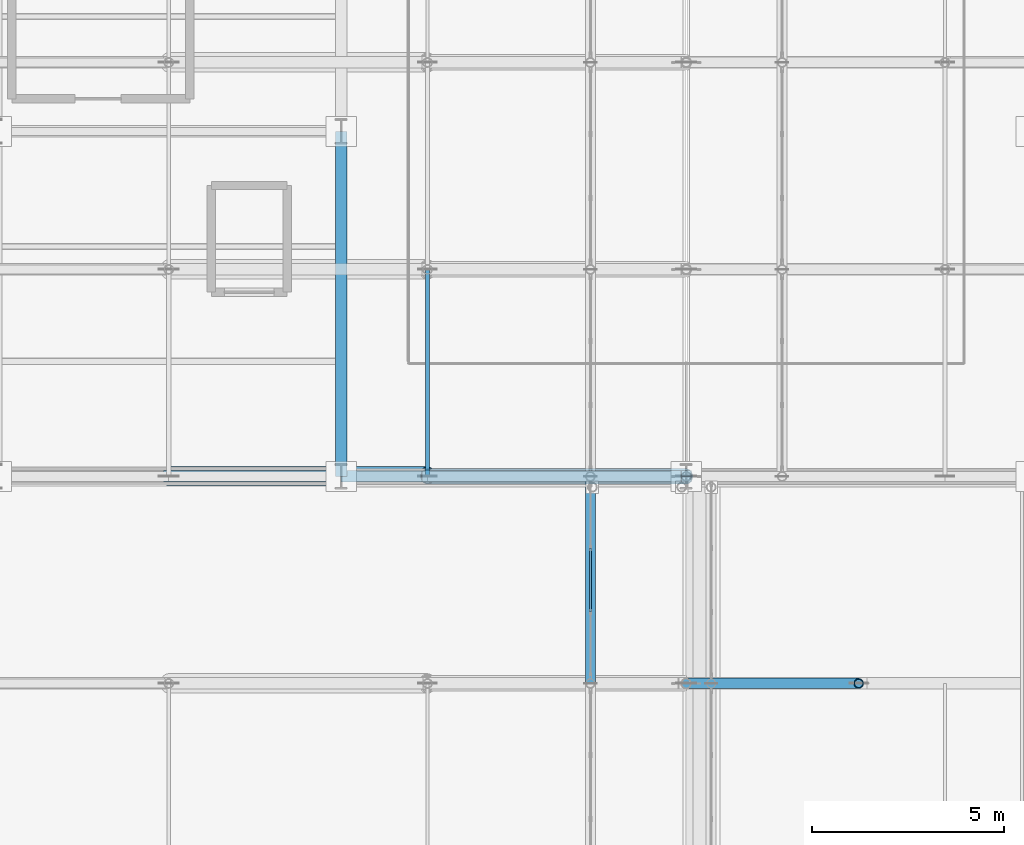
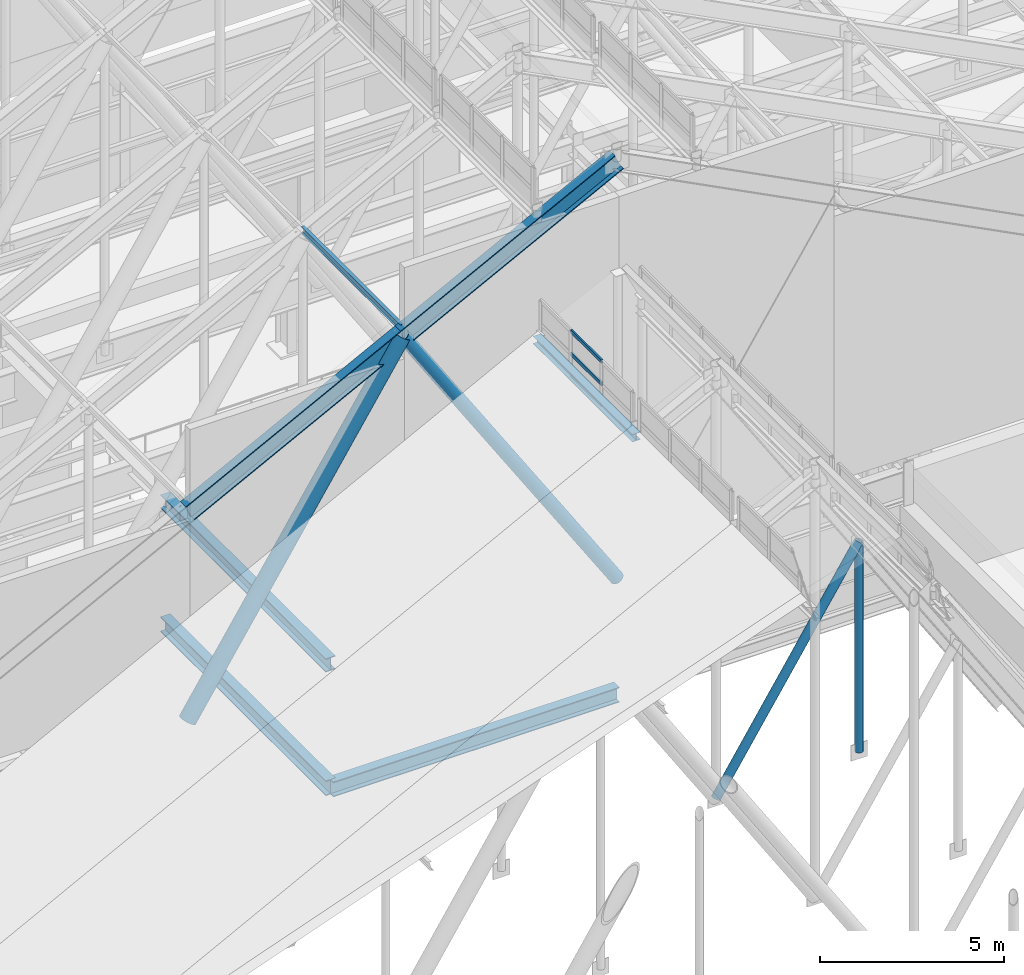
# One storey, part 25 of 84: 10 members, 4 beams, 1 element without a shape of its own.
"""IFC4 building model written with IfcOpenShell, lengths in metres."""

from ifc_helpers import new_model, si_unit, direction, frame, origin, origin_2d, place, context, subcontext, project, spatial, hollow_rectangle, hollow_circle, i_section, extrude, material, layer, layer_set, material_profile, profile_set, type_object, element, aggregate, save


model = new_model("IFC4")

# Units and contexts
model_context = context("Model", 3, precision=1e-05, world=origin(), true_north=direction((0.0, 1.0)))
body_context = subcontext(model_context, "Body", "Model", "MODEL_VIEW")
ifc_project = project(units=[si_unit("LENGTHUNIT", "METRE"), si_unit("AREAUNIT", "SQUARE_METRE"), si_unit("VOLUMEUNIT", "CUBIC_METRE"), si_unit("PLANEANGLEUNIT", "RADIAN"), si_unit("MASSUNIT", "GRAM", prefix="KILO")], contexts=[model_context])

# Site, building, storey
site_placement = place(None, origin())
site = spatial("IfcSite", under=ifc_project, at=site_placement, CompositionType="ELEMENT")
building_placement = place(site_placement, origin())
building = spatial("IfcBuilding", under=site, at=building_placement, Name="Sundgate Opera House", CompositionType="ELEMENT")
storey_placement = place(building_placement, frame((0.0, 0.0, 30.60009765625)))
storey = spatial("IfcBuildingStorey", under=building, at=storey_placement, Name="L06", CompositionType="ELEMENT", Elevation=30.60009765625)

# Beams
ifc_material_1 = material(Name="Steel S355J2", Category="steel")
ifc_material_profile_1 = material_profile(ifc_material_1, i_section(OverallWidth=0.300048828125, OverallDepth=0.449951171875, WebThickness=0.013916015625, FlangeThickness=0.02587890625, at=origin_2d()), Name="HEB 450")
ifc_profile_set_1 = profile_set([ifc_material_profile_1], Name="Steel S355J2")
beam_type_1 = type_object("IfcBeamType", Name="BM-GR-HEB450", PredefinedType="BEAM", material=ifc_profile_set_1)
beam_1_placement = place(storey_placement, frame((45.0, 60.0, 3.574951171875), z_axis=(0.0, 1.0, 0.0), x_axis=(-1.0, 0.0, 0.0)))
element("IfcBeam", 1, at=beam_1_placement, inside=storey, type_object=beam_type_1, Name="L06 Primary N-S Girder B3273", PredefinedType="BEAM", context=body_context, shape_type="SweptSolid", body=[
    extrude(i_section(OverallWidth=0.300048828125, OverallDepth=0.449951171875, WebThickness=0.013916015625, FlangeThickness=0.02587890625, at=origin_2d()), origin(), (0.0, 0.0, 1.0), 9.0),
])
ifc_material_2 = material(Name="Steel S355J2", Category="steel")
ifc_material_profile_2 = material_profile(ifc_material_2, i_section(OverallWidth=0.300048828125, OverallDepth=0.5, WebThickness=0.014404296875, FlangeThickness=0.028076171875, at=origin_2d()), Name="HEB 500")
ifc_profile_set_2 = profile_set([ifc_material_profile_2], Name="Steel S355J2")
beam_type_2 = type_object("IfcBeamType", Name="BM-GR-HEB500", PredefinedType="BEAM", material=ifc_profile_set_2)
for number, where, z_axis, x_axis, name in (
    (2, (45.0, 60.0, -0.510009765625), (0.0, 1.0, 0.0), (-1.0, 0.0, 0.0), "L06 Primary N-S Girder B3198"),
    (3, (45.0, 60.0, -0.510009765625), (1.0, 0.0, 0.0), (0.0, 1.0, 0.0), "L06 Primary E-W Girder B3220"),
):
    element("IfcBeam", number, at=place(storey_placement, frame(where, z_axis=z_axis, x_axis=x_axis)), inside=storey, type_object=beam_type_2, Name=name, PredefinedType="BEAM", context=body_context, shape_type="SweptSolid", body=[
        extrude(i_section(OverallWidth=0.300048828125, OverallDepth=0.5, WebThickness=0.014404296875, FlangeThickness=0.028076171875, at=origin_2d()), origin(), (0.0, 0.0, 1.0), 9.0),
    ])
ifc_material_3 = material(Name="Steel S355J2", Category="steel")
ifc_material_profile_3 = material_profile(ifc_material_3, i_section(OverallWidth=0.260009765625, OverallDepth=0.25, WebThickness=0.007568359375, FlangeThickness=0.012451171875, at=origin_2d()), Name="HEA 260")
ifc_profile_set_3 = profile_set([ifc_material_profile_3], Name="Steel S355J2")
beam_type_3 = type_object("IfcBeamType", Name="BM-LN-HEA260", PredefinedType="LINTEL", material=ifc_profile_set_3)
beam_2_placement = place(storey_placement, frame((51.5, 54.60009765625, 12.119873046875), z_axis=(0.0, 1.0, 0.0), x_axis=(-1.0, 0.0, 0.0)))
element("IfcBeam", 4, at=beam_2_placement, inside=storey, type_object=beam_type_3, Name="L06 Crown Clerestory Curb Beam BS030", PredefinedType="LINTEL", context=body_context, shape_type="SweptSolid", body=[
    extrude(i_section(OverallWidth=0.260009765625, OverallDepth=0.25, WebThickness=0.007568359375, FlangeThickness=0.012451171875, at=origin_2d()), origin(), (0.0, 0.0, 1.0), 5.39990234375),
])

# Curtain wall, members
ifc_material_4 = material(Name="Anodized aluminium and low-iron glass", Category="aluminium")
ifc_layer = layer(ifc_material_4, 0.169921875)
ifc_layer_set = layer_set([ifc_layer], Name="Anodized aluminium and low-iron glass")
curtain_wall_type = type_object("IfcCurtainWallType", Name="CW-LANTERN-POLY", PredefinedType="NOTDEFINED", material=ifc_layer_set)
curtain_wall_placement = place(storey_placement, origin())
curtain_wall = element("IfcCurtainWall", 5, at=curtain_wall_placement, inside=storey, type_object=curtain_wall_type, Name="L06 Curtain Wall CW177", PredefinedType="NOTDEFINED")
ifc_material_5 = material(Name="Anodized aluminium EN AW-6063", Category="aluminium")
ifc_material_profile_4 = material_profile(ifc_material_5, hollow_rectangle(XDim=0.054931640625, YDim=0.1201171875, WallThickness=0.00390625, at=origin_2d()), Name="CWT 120x55x4")
ifc_profile_set_4 = profile_set([ifc_material_profile_4], Name="Anodized aluminium EN AW-6063")
member_type_1 = type_object("IfcMemberType", Name="CWT-ALU-120x55", PredefinedType="USERDEFINED", material=ifc_profile_set_4)
member_1_placement = place(storey_placement, frame((51.5, 58.13330078125, 12.0), z_axis=(0.0, -1.0, 0.0), x_axis=(1.0, 0.0, 0.0)))
member_1 = element("IfcMember", 6, at=member_1_placement, type_object=member_type_1, Name="CW177 Transom 4", ObjectType="TRANSOM", PredefinedType="USERDEFINED", context=body_context, shape_type="SweptSolid", body=[
    extrude(hollow_rectangle(XDim=0.054931640625, YDim=0.1201171875, WallThickness=0.00390625, at=origin_2d()), origin(), (0.0, 0.0, 1.0), 1.666748046875),
])
member_2_placement = place(storey_placement, frame((51.5, 58.13330078125, 12.75), z_axis=(0.0, -1.0, 0.0), x_axis=(1.0, 0.0, 0.0)))
member_2 = element("IfcMember", 7, at=member_2_placement, type_object=member_type_1, Name="CW177 Transom 5", ObjectType="TRANSOM", PredefinedType="USERDEFINED", context=body_context, shape_type="SweptSolid", body=[
    extrude(hollow_rectangle(XDim=0.054931640625, YDim=0.1201171875, WallThickness=0.00390625, at=origin_2d()), origin(), (0.0, 0.0, 1.0), 1.666748046875),
])
member_3_placement = place(storey_placement, frame((51.5, 58.13330078125, 13.5), z_axis=(0.0, -1.0, 0.0), x_axis=(1.0, 0.0, 0.0)))
member_3 = element("IfcMember", 8, at=member_3_placement, type_object=member_type_1, Name="CW177 Transom 6", ObjectType="TRANSOM", PredefinedType="USERDEFINED", context=body_context, shape_type="SweptSolid", body=[
    extrude(hollow_rectangle(XDim=0.054931640625, YDim=0.1201171875, WallThickness=0.00390625, at=origin_2d()), origin(), (0.0, 0.0, 1.0), 1.666748046875),
])
aggregate(curtain_wall, [member_1, member_2, member_3])

# Members
ifc_material_6 = material(Name="Steel S355J2", Category="steel")
ifc_material_profile_5 = material_profile(ifc_material_6, i_section(OverallWidth=0.300048828125, OverallDepth=0.60009765625, WebThickness=0.015380859375, FlangeThickness=0.030029296875, at=origin_2d()), Name="HEB 600")
ifc_profile_set_5 = profile_set([ifc_material_profile_5], Name="Steel S355J2")
member_type_2 = type_object("IfcMemberType", Name="MB-CHORD-HEB600", PredefinedType="CHORD", material=ifc_profile_set_5)
for number, where, z_axis, x_axis, name in (
    (9, (40.5, 60.0, 10.244873046875), (0.888960276237, 0.0, 0.457984308981), (0.0, 1.0, 0.0), "L06 Fly-Tower Truss Top Chord M0123"),
    (10, (47.25, 60.0, 13.722412109375), (0.888960276237, 0.0, 0.457984308981), (0.0, 1.0, 0.0), "L06 Fly-Tower Truss Top Chord M0125"),
):
    element("IfcMember", number, at=place(storey_placement, frame(where, z_axis=z_axis, x_axis=x_axis)), inside=storey, type_object=member_type_2, Name=name, PredefinedType="CHORD", context=body_context, shape_type="SweptSolid", body=[
        extrude(i_section(OverallWidth=0.300048828125, OverallDepth=0.60009765625, WebThickness=0.015380859375, FlangeThickness=0.030029296875, at=origin_2d()), origin(), (0.0, 0.0, 1.0), 7.59326171875),
    ])
ifc_material_7 = material(Name="Steel S355J2", Category="steel")
ifc_material_profile_6 = material_profile(ifc_material_7, i_section(OverallWidth=0.110107421875, OverallDepth=0.219970703125, WebThickness=0.005859375, FlangeThickness=0.00927734375, at=origin_2d()), Name="IPE 220")
ifc_profile_set_6 = profile_set([ifc_material_profile_6], Name="Steel S355J2")
member_type_3 = type_object("IfcMemberType", Name="MB-PUR-IPE220", PredefinedType="PURLIN", material=ifc_profile_set_6)
member_4_placement = place(storey_placement, frame((47.25, 60.0, 13.96728515625), z_axis=(0.0, 1.0, 0.0), x_axis=(-1.0, 0.0, 0.0)))
element("IfcMember", 11, at=member_4_placement, inside=storey, type_object=member_type_3, Name="V1 Roof Purlin M0248", PredefinedType="PURLIN", context=body_context, shape_type="SweptSolid", body=[
    extrude(i_section(OverallWidth=0.110107421875, OverallDepth=0.219970703125, WebThickness=0.005859375, FlangeThickness=0.00927734375, at=origin_2d()), origin(), (0.0, 0.0, 1.0), 5.39990234375),
])
ifc_material_8 = material(Name="Steel S355J2", Category="steel")
ifc_material_profile_7 = material_profile(ifc_material_8, hollow_circle(Radius=0.122314453125, WallThickness=0.012451171875, at=origin_2d()), Name="CHS 244.5x12.5")
ifc_profile_set_7 = profile_set([ifc_material_profile_7], Name="Steel S355J2")
member_type_4 = type_object("IfcMemberType", Name="MB-STRUT-CHS244", PredefinedType="STRUT", material=ifc_profile_set_7)
member_5_placement = place(storey_placement, frame((58.5, 54.60009765625, -0.760009765625), z_axis=(0.0, 0.0, 1.0), x_axis=(1.0, 0.0, 0.0)))
element("IfcMember", 12, at=member_5_placement, inside=storey, type_object=member_type_4, Name="L06 Auditorium Truss Vertical Post M0119", PredefinedType="STRUT", context=body_context, shape_type="SweptSolid", body=[
    extrude(hollow_circle(Radius=0.122314453125, WallThickness=0.012451171875, at=origin_2d()), origin(), (0.0, 0.0, 1.0), 6.97998046875),
])
ifc_material_9 = material(Name="Steel S355J2", Category="steel")
ifc_material_profile_8 = material_profile(ifc_material_9, hollow_circle(Radius=0.136474609375, WallThickness=0.01611328125, at=origin_2d()), Name="CHS 273.0x16.0")
ifc_profile_set_8 = profile_set([ifc_material_profile_8], Name="Steel S355J2")
member_type_5 = type_object("IfcMemberType", Name="MB-STRUT-CHS273", PredefinedType="STRUT", material=ifc_profile_set_8)
member_6_placement = place(storey_placement, frame((54.0, 54.60009765625, -0.760009765625), z_axis=(0.541853645841, 0.0, 0.840472858865), x_axis=(0.0, 1.0, 0.0)))
element("IfcMember", 13, at=member_6_placement, inside=storey, type_object=member_type_5, Name="L06 Auditorium Warren Web Strut M0113", PredefinedType="STRUT", context=body_context, shape_type="SweptSolid", body=[
    extrude(hollow_circle(Radius=0.136474609375, WallThickness=0.01611328125, at=origin_2d()), origin(), (0.0, 0.0, 1.0), 8.304931640625),
])
ifc_material_10 = material(Name="Steel S355ML", Category="steel")
ifc_material_profile_9 = material_profile(ifc_material_10, hollow_circle(Radius=0.203125, WallThickness=0.02001953125, at=origin_2d()), Name="CHS 406.4x20.0")
ifc_profile_set_9 = profile_set([ifc_material_profile_9], Name="Steel S355ML")
member_type_6 = type_object("IfcMemberType", Name="MB-STRUT-CHS406", PredefinedType="STRUT", material=ifc_profile_set_9)
member_7_placement = place(storey_placement, frame((54.0, 60.0, 3.289794921875), z_axis=(-0.543221949913, 0.0, 0.839589133525), x_axis=(0.0, -1.0, 0.0)))
element("IfcMember", 14, at=member_7_placement, inside=storey, type_object=member_type_6, Name="L06 Fly-Tower Warren Web Diagonal M0126", PredefinedType="STRUT", context=body_context, shape_type="SweptSolid", body=[
    extrude(hollow_circle(Radius=0.203125, WallThickness=0.02001953125, at=origin_2d()), origin(), (0.0, 0.0, 1.0), 12.42578125),
])
ifc_material_11 = material(Name="Steel S355ML", Category="steel")
ifc_material_profile_10 = material_profile(ifc_material_11, hollow_circle(Radius=0.25390625, WallThickness=0.02490234375, at=origin_2d()), Name="CHS 508x25.0")
ifc_profile_set_10 = profile_set([ifc_material_profile_10], Name="Steel S355ML")
member_type_7 = type_object("IfcMemberType", Name="MB-STRUT-CHS508", PredefinedType="STRUT", material=ifc_profile_set_10)
member_8_placement = place(storey_placement, frame((40.5, 60.0, 3.289794921875), z_axis=(0.543221949913, 0.0, 0.839589133525), x_axis=(0.0, 1.0, 0.0)))
element("IfcMember", 15, at=member_8_placement, inside=storey, type_object=member_type_7, Name="L06 Fly-Tower Warren Web Strut M0124", PredefinedType="STRUT", context=body_context, shape_type="SweptSolid", body=[
    extrude(hollow_circle(Radius=0.25390625, WallThickness=0.02490234375, at=origin_2d()), origin(), (0.0, 0.0, 1.0), 12.42578125),
])

save(model, "model.ifc")
